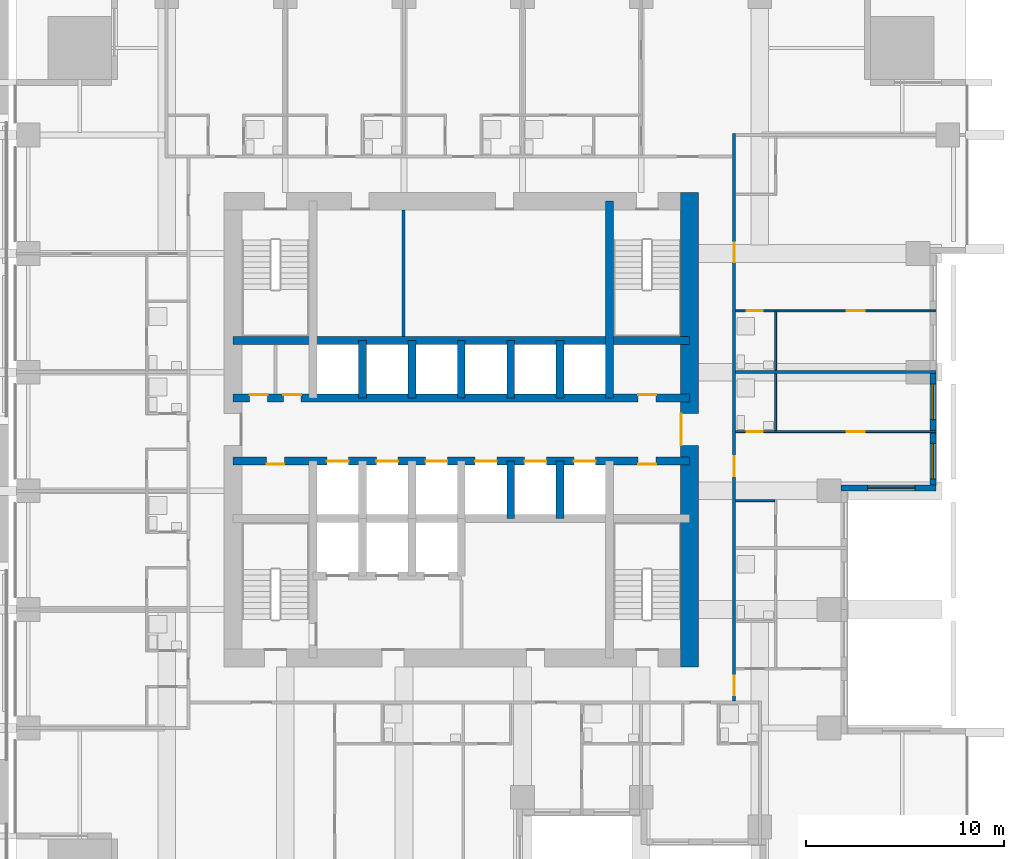
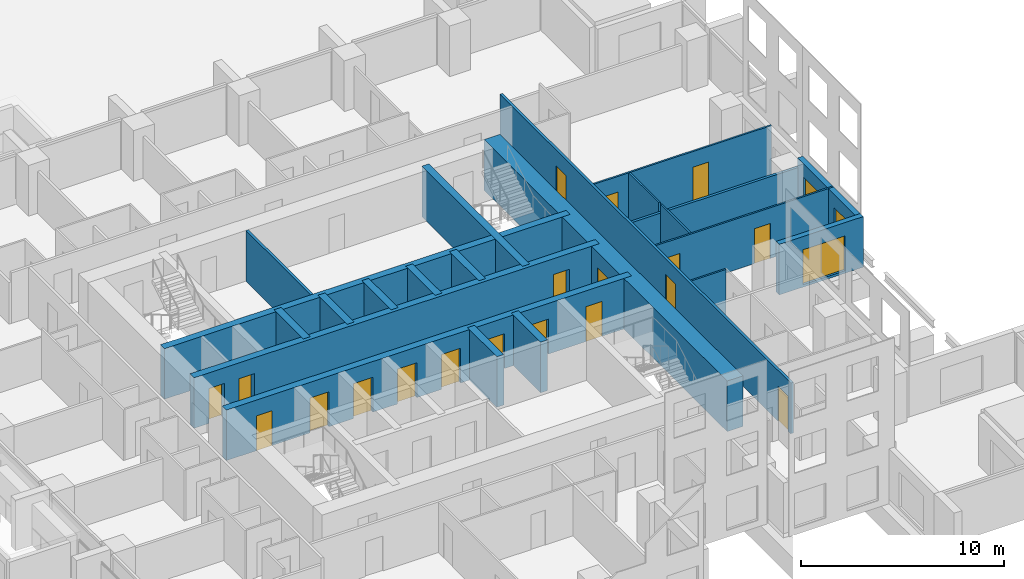
# One storey, part 9 of 15: 22 walls, 19 doors, 3 windows, 22 openings.
"""IFC4 building model written with IfcOpenShell, lengths in metres."""

from ifc_helpers import new_model, si_unit, direction, frame, frame_2d, origin, place, context, subcontext, project, spatial, rectangle, extrude, material, layer, layer_set, type_object, element, fill, save


model = new_model("IFC4")

# Units and contexts
model_context = context("Model", 3, precision=1e-05, world=origin(), true_north=direction((0.0, 1.0)))
body_context = subcontext(model_context, "Body", "Model", "MODEL_VIEW")
ifc_project = project(units=[si_unit("LENGTHUNIT", "METRE"), si_unit("AREAUNIT", "SQUARE_METRE"), si_unit("VOLUMEUNIT", "CUBIC_METRE"), si_unit("PLANEANGLEUNIT", "RADIAN"), si_unit("MASSUNIT", "GRAM", prefix="KILO")], contexts=[model_context])

# Site, building, storey
site_placement = place(None, origin())
site = spatial("IfcSite", under=ifc_project, at=site_placement, CompositionType="ELEMENT")
building_placement = place(site_placement, origin())
building = spatial("IfcBuilding", under=site, at=building_placement, Name="Amberfall Residences", CompositionType="ELEMENT")
storey_placement = place(building_placement, frame((0.0, 0.0, 23.5)))
storey = spatial("IfcBuildingStorey", under=building, at=storey_placement, Name="L05", CompositionType="ELEMENT", Elevation=23.5)

# Wall, opening, window
ifc_material_1 = material(Name="Pale stone cladding on insulated backing", Category="masonry")
ifc_layer_1 = layer(ifc_material_1, 0.300048828125)
ifc_layer_set_1 = layer_set([ifc_layer_1], Name="Bronze clad wall 300")
wall_type_1 = type_object("IfcWallType", Name="Bronze clad wall 300", PredefinedType="SOLIDWALL", material=ifc_layer_set_1)
wall_1_placement = place(storey_placement, frame((93.699951171875, 42.550048828125, 0.0), z_axis=(0.0, 0.0, 1.0), x_axis=(1.0, 0.0, 0.0)))
wall_1 = element("IfcWall", 1, at=wall_1_placement, inside=storey, type_object=wall_type_1, Name="External wall L05 E", PredefinedType="SOLIDWALL", context=body_context, shape_type="SweptSolid", body=[
    extrude(rectangle(XDim=4.800048828125, YDim=0.300048828125, at=frame_2d((2.39990234375, 0.0))), origin(), (0.0, 0.0, 1.0), 3.050048828125),
])
opening_1_placement = place(wall_1_placement, frame((1.35009765625, 0.0, 0.14990234375)))
opening_1 = element("IfcOpeningElement", 2, at=opening_1_placement, cuts=wall_1, Name="Opening WN5", PredefinedType="OPENING", context=body_context, shape_type="SweptSolid", body=[
    extrude(rectangle(XDim=2.39990234375, YDim=2.10009765625, at=frame_2d((1.199951171875, 1.050048828125))), frame((0.0, 0.159912109375, 0.0), z_axis=(0.0, -1.0, 0.0), x_axis=(1.0, 0.0, 0.0)), (0.0, 0.0, 1.0), 0.320068359375),
])
ifc_material_2 = material(Name="Bronze aluminium framed glazing", Category="aluminium")
window_type_1 = type_object("IfcWindowType", Name="Glazed opening 2400 x 2100 bronze", PartitioningType="DOUBLE_PANEL_VERTICAL", PredefinedType="WINDOW", material=ifc_material_2)
window_1_placement = place(opening_1_placement, origin())
window_1 = element("IfcWindow", 3, at=window_1_placement, inside=storey, type_object=window_type_1, Name="Window L05 E", OverallHeight=2.10009765625, OverallWidth=2.39990234375, PartitioningType="DOUBLE_PANEL_VERTICAL", PredefinedType="WINDOW", context=body_context, shape_type="SweptSolid", body=[
    extrude(rectangle(XDim=2.39990234375, YDim=2.10009765625, at=frame_2d((1.199951171875, 1.050048828125))), frame((0.0, 0.030029296875, 0.0), z_axis=(0.0, -1.0, 0.0), x_axis=(1.0, 0.0, 0.0)), (0.0, 0.0, 1.0), 0.06005859375),
])
fill(opening_1, window_1)

# Wall, openings, windows
wall_2_placement = place(storey_placement, frame((98.35009765625, 42.699951171875, 0.0), z_axis=(0.0, 0.0, 1.0), x_axis=(0.0, 1.0, 0.0)))
wall_2 = element("IfcWall", 4, at=wall_2_placement, inside=storey, type_object=wall_type_1, Name="Stone wall L05 E", PredefinedType="SOLIDWALL", context=body_context, shape_type="SweptSolid", body=[
    extrude(rectangle(XDim=5.699951171875, YDim=0.300048828125, at=frame_2d((2.85009765625, 0.0))), origin(), (0.0, 0.0, 1.0), 3.050048828125),
])
opening_2_placement = place(wall_2_placement, frame((0.300048828125, 0.0, 0.14990234375)))
opening_2 = element("IfcOpeningElement", 5, at=opening_2_placement, cuts=wall_2, Name="Opening WN6", PredefinedType="OPENING", context=body_context, shape_type="SweptSolid", body=[
    extrude(rectangle(XDim=1.800048828125, YDim=2.10009765625, at=frame_2d((0.89990234375, 1.050048828125))), frame((0.0, 0.159912109375, 0.0), z_axis=(0.0, -1.0, 0.0), x_axis=(1.0, 0.0, 0.0)), (0.0, 0.0, 1.0), 0.320068359375),
])
opening_3_placement = place(wall_2_placement, frame((3.300048828125, 0.0, 0.14990234375)))
opening_3 = element("IfcOpeningElement", 6, at=opening_3_placement, cuts=wall_2, Name="Opening WN6", PredefinedType="OPENING", context=body_context, shape_type="SweptSolid", body=[
    extrude(rectangle(XDim=1.800048828125, YDim=2.10009765625, at=frame_2d((0.89990234375, 1.050048828125))), frame((0.0, 0.159912109375, 0.0), z_axis=(0.0, -1.0, 0.0), x_axis=(1.0, 0.0, 0.0)), (0.0, 0.0, 1.0), 0.320068359375),
])
window_type_2 = type_object("IfcWindowType", Name="Glazed opening 1800 x 2100 bronze", PartitioningType="DOUBLE_PANEL_VERTICAL", PredefinedType="WINDOW", material=ifc_material_2)
window_2_placement = place(opening_2_placement, origin())
window_2 = element("IfcWindow", 7, at=window_2_placement, inside=storey, type_object=window_type_2, Name="Window L05 E", OverallHeight=2.10009765625, OverallWidth=1.800048828125, PartitioningType="DOUBLE_PANEL_VERTICAL", PredefinedType="WINDOW", context=body_context, shape_type="SweptSolid", body=[
    extrude(rectangle(XDim=1.800048828125, YDim=2.10009765625, at=frame_2d((0.89990234375, 1.050048828125))), frame((0.0, 0.030029296875, 0.0), z_axis=(0.0, -1.0, 0.0), x_axis=(1.0, 0.0, 0.0)), (0.0, 0.0, 1.0), 0.06005859375),
])
fill(opening_2, window_2)
window_3_placement = place(opening_3_placement, origin())
window_3 = element("IfcWindow", 8, at=window_3_placement, inside=storey, type_object=window_type_2, Name="Window L05 E", OverallHeight=2.10009765625, OverallWidth=1.800048828125, PartitioningType="DOUBLE_PANEL_VERTICAL", PredefinedType="WINDOW", context=body_context, shape_type="SweptSolid", body=[
    extrude(rectangle(XDim=1.800048828125, YDim=2.10009765625, at=frame_2d((0.89990234375, 1.050048828125))), frame((0.0, 0.030029296875, 0.0), z_axis=(0.0, -1.0, 0.0), x_axis=(1.0, 0.0, 0.0)), (0.0, 0.0, 1.0), 0.06005859375),
])
fill(opening_3, window_3)

# Wall, openings, doors
ifc_material_3 = material(Name="Concrete C80", Category="concrete")
ifc_layer_2 = layer(ifc_material_3, 0.39990234375)
ifc_layer_set_2 = layer_set([ifc_layer_2], Name="Core wall 400 C80")
wall_type_2 = type_object("IfcWallType", Name="Core wall 400 C80", PredefinedType="SHEAR", material=ifc_layer_set_2)
wall_3_placement = place(storey_placement, frame((62.949951171875, 43.89990234375, 0.0), z_axis=(0.0, 0.0, 1.0), x_axis=(1.0, 0.0, 0.0)))
wall_3 = element("IfcWall", 9, at=wall_3_placement, inside=storey, type_object=wall_type_2, Name="Core wall RW2 L05 H104", PredefinedType="SHEAR", context=body_context, shape_type="SweptSolid", body=[
    extrude(rectangle(XDim=23.10009765625, YDim=0.39990234375, at=frame_2d((11.550048828125, 0.0))), origin(), (0.0, 0.0, 1.0), 3.050048828125),
])
opening_4_placement = place(wall_3_placement, frame((1.699951171875, 0.0, 0.0)))
opening_4 = element("IfcOpeningElement", 10, at=opening_4_placement, cuts=wall_3, Name="Opening RD1", PredefinedType="OPENING", context=body_context, shape_type="SweptSolid", body=[
    extrude(rectangle(XDim=0.89990234375, YDim=2.10009765625, at=frame_2d((0.449951171875, 1.050048828125))), frame((0.0, 0.2099609375, 0.0), z_axis=(0.0, -1.0, 0.0), x_axis=(1.0, 0.0, 0.0)), (0.0, 0.0, 1.0), 0.419921875),
])
opening_5_placement = place(wall_3_placement, frame((20.5, 0.0, 0.0)))
opening_5 = element("IfcOpeningElement", 11, at=opening_5_placement, cuts=wall_3, Name="Opening RD1", PredefinedType="OPENING", context=body_context, shape_type="SweptSolid", body=[
    extrude(rectangle(XDim=0.89990234375, YDim=2.10009765625, at=frame_2d((0.449951171875, 1.050048828125))), frame((0.0, 0.2099609375, 0.0), z_axis=(0.0, -1.0, 0.0), x_axis=(1.0, 0.0, 0.0)), (0.0, 0.0, 1.0), 0.419921875),
])
opening_6_placement = place(wall_3_placement, frame((4.75, 0.0, 0.0)))
opening_6 = element("IfcOpeningElement", 12, at=opening_6_placement, cuts=wall_3, Name="Opening LD1", PredefinedType="OPENING", context=body_context, shape_type="SweptSolid", body=[
    extrude(rectangle(XDim=1.10009765625, YDim=2.10009765625, at=frame_2d((0.550048828125, 1.050048828125))), frame((0.0, 0.2099609375, 0.0), z_axis=(0.0, -1.0, 0.0), x_axis=(1.0, 0.0, 0.0)), (0.0, 0.0, 1.0), 0.419921875),
])
opening_7_placement = place(wall_3_placement, frame((7.25, 0.0, 0.0)))
opening_7 = element("IfcOpeningElement", 13, at=opening_7_placement, cuts=wall_3, Name="Opening LD1", PredefinedType="OPENING", context=body_context, shape_type="SweptSolid", body=[
    extrude(rectangle(XDim=1.10009765625, YDim=2.10009765625, at=frame_2d((0.550048828125, 1.050048828125))), frame((0.0, 0.2099609375, 0.0), z_axis=(0.0, -1.0, 0.0), x_axis=(1.0, 0.0, 0.0)), (0.0, 0.0, 1.0), 0.419921875),
])
opening_8_placement = place(wall_3_placement, frame((9.75, 0.0, 0.0)))
opening_8 = element("IfcOpeningElement", 14, at=opening_8_placement, cuts=wall_3, Name="Opening LD1", PredefinedType="OPENING", context=body_context, shape_type="SweptSolid", body=[
    extrude(rectangle(XDim=1.10009765625, YDim=2.10009765625, at=frame_2d((0.550048828125, 1.050048828125))), frame((0.0, 0.2099609375, 0.0), z_axis=(0.0, -1.0, 0.0), x_axis=(1.0, 0.0, 0.0)), (0.0, 0.0, 1.0), 0.419921875),
])
opening_9_placement = place(wall_3_placement, frame((12.25, 0.0, 0.0)))
opening_9 = element("IfcOpeningElement", 15, at=opening_9_placement, cuts=wall_3, Name="Opening LD1", PredefinedType="OPENING", context=body_context, shape_type="SweptSolid", body=[
    extrude(rectangle(XDim=1.10009765625, YDim=2.10009765625, at=frame_2d((0.550048828125, 1.050048828125))), frame((0.0, 0.2099609375, 0.0), z_axis=(0.0, -1.0, 0.0), x_axis=(1.0, 0.0, 0.0)), (0.0, 0.0, 1.0), 0.419921875),
])
opening_10_placement = place(wall_3_placement, frame((14.75, 0.0, 0.0)))
opening_10 = element("IfcOpeningElement", 16, at=opening_10_placement, cuts=wall_3, Name="Opening LD1", PredefinedType="OPENING", context=body_context, shape_type="SweptSolid", body=[
    extrude(rectangle(XDim=1.10009765625, YDim=2.10009765625, at=frame_2d((0.550048828125, 1.050048828125))), frame((0.0, 0.2099609375, 0.0), z_axis=(0.0, -1.0, 0.0), x_axis=(1.0, 0.0, 0.0)), (0.0, 0.0, 1.0), 0.419921875),
])
opening_11_placement = place(wall_3_placement, frame((17.25, 0.0, 0.0)))
opening_11 = element("IfcOpeningElement", 17, at=opening_11_placement, cuts=wall_3, Name="Opening LD1", PredefinedType="OPENING", context=body_context, shape_type="SweptSolid", body=[
    extrude(rectangle(XDim=1.10009765625, YDim=2.10009765625, at=frame_2d((0.550048828125, 1.050048828125))), frame((0.0, 0.2099609375, 0.0), z_axis=(0.0, -1.0, 0.0), x_axis=(1.0, 0.0, 0.0)), (0.0, 0.0, 1.0), 0.419921875),
])
ifc_material_4 = material(Name="Steel fire door set", Category="steel")
door_type_1 = type_object("IfcDoorType", Name="Lift landing door 1100 x 2100", OperationType="DOUBLE_DOOR_SLIDING", PredefinedType="DOOR", material=ifc_material_4)
door_1_placement = place(opening_6_placement, origin())
door_1 = element("IfcDoor", 18, at=door_1_placement, inside=storey, type_object=door_type_1, Name="Landing door LP1 L05", OperationType="DOUBLE_DOOR_SLIDING", OverallHeight=2.10009765625, OverallWidth=1.10009765625, PredefinedType="DOOR", context=body_context, shape_type="SweptSolid", body=[
    extrude(rectangle(XDim=1.10009765625, YDim=2.10009765625, at=frame_2d((0.550048828125, 1.050048828125))), frame((0.0, 0.02490234375, 0.0), z_axis=(0.0, -1.0, 0.0), x_axis=(1.0, 0.0, 0.0)), (0.0, 0.0, 1.0), 0.050048828125),
])
fill(opening_6, door_1)
door_2_placement = place(opening_7_placement, origin())
door_2 = element("IfcDoor", 19, at=door_2_placement, inside=storey, type_object=door_type_1, Name="Landing door LP2 L05", OperationType="DOUBLE_DOOR_SLIDING", OverallHeight=2.10009765625, OverallWidth=1.10009765625, PredefinedType="DOOR", context=body_context, shape_type="SweptSolid", body=[
    extrude(rectangle(XDim=1.10009765625, YDim=2.10009765625, at=frame_2d((0.550048828125, 1.050048828125))), frame((0.0, 0.02490234375, 0.0), z_axis=(0.0, -1.0, 0.0), x_axis=(1.0, 0.0, 0.0)), (0.0, 0.0, 1.0), 0.050048828125),
])
fill(opening_7, door_2)
door_3_placement = place(opening_8_placement, origin())
door_3 = element("IfcDoor", 20, at=door_3_placement, inside=storey, type_object=door_type_1, Name="Landing door LP3 L05", OperationType="DOUBLE_DOOR_SLIDING", OverallHeight=2.10009765625, OverallWidth=1.10009765625, PredefinedType="DOOR", context=body_context, shape_type="SweptSolid", body=[
    extrude(rectangle(XDim=1.10009765625, YDim=2.10009765625, at=frame_2d((0.550048828125, 1.050048828125))), frame((0.0, 0.02490234375, 0.0), z_axis=(0.0, -1.0, 0.0), x_axis=(1.0, 0.0, 0.0)), (0.0, 0.0, 1.0), 0.050048828125),
])
fill(opening_8, door_3)
door_4_placement = place(opening_9_placement, origin())
door_4 = element("IfcDoor", 21, at=door_4_placement, inside=storey, type_object=door_type_1, Name="Landing door LP4 L05", OperationType="DOUBLE_DOOR_SLIDING", OverallHeight=2.10009765625, OverallWidth=1.10009765625, PredefinedType="DOOR", context=body_context, shape_type="SweptSolid", body=[
    extrude(rectangle(XDim=1.10009765625, YDim=2.10009765625, at=frame_2d((0.550048828125, 1.050048828125))), frame((0.0, 0.02490234375, 0.0), z_axis=(0.0, -1.0, 0.0), x_axis=(1.0, 0.0, 0.0)), (0.0, 0.0, 1.0), 0.050048828125),
])
fill(opening_9, door_4)
door_5_placement = place(opening_10_placement, origin())
door_5 = element("IfcDoor", 22, at=door_5_placement, inside=storey, type_object=door_type_1, Name="Landing door LP5 L05", OperationType="DOUBLE_DOOR_SLIDING", OverallHeight=2.10009765625, OverallWidth=1.10009765625, PredefinedType="DOOR", context=body_context, shape_type="SweptSolid", body=[
    extrude(rectangle(XDim=1.10009765625, YDim=2.10009765625, at=frame_2d((0.550048828125, 1.050048828125))), frame((0.0, 0.02490234375, 0.0), z_axis=(0.0, -1.0, 0.0), x_axis=(1.0, 0.0, 0.0)), (0.0, 0.0, 1.0), 0.050048828125),
])
fill(opening_10, door_5)
door_6_placement = place(opening_11_placement, origin())
door_6 = element("IfcDoor", 23, at=door_6_placement, inside=storey, type_object=door_type_1, Name="Landing door LP6 L05", OperationType="DOUBLE_DOOR_SLIDING", OverallHeight=2.10009765625, OverallWidth=1.10009765625, PredefinedType="DOOR", context=body_context, shape_type="SweptSolid", body=[
    extrude(rectangle(XDim=1.10009765625, YDim=2.10009765625, at=frame_2d((0.550048828125, 1.050048828125))), frame((0.0, 0.02490234375, 0.0), z_axis=(0.0, -1.0, 0.0), x_axis=(1.0, 0.0, 0.0)), (0.0, 0.0, 1.0), 0.050048828125),
])
fill(opening_11, door_6)
door_type_2 = type_object("IfcDoorType", Name="Service room door 900 x 2100", OperationType="SINGLE_SWING_LEFT", PredefinedType="DOOR", material=ifc_material_4)
door_7_placement = place(opening_4_placement, origin())
door_7 = element("IfcDoor", 24, at=door_7_placement, inside=storey, type_object=door_type_2, Name="RD1 L05", OperationType="SINGLE_SWING_LEFT", OverallHeight=2.10009765625, OverallWidth=0.89990234375, PredefinedType="DOOR", context=body_context, shape_type="SweptSolid", body=[
    extrude(rectangle(XDim=0.89990234375, YDim=2.10009765625, at=frame_2d((0.449951171875, 1.050048828125))), frame((0.0, -0.1376953125, 0.0), z_axis=(0.0, -1.0, 0.0), x_axis=(1.0, 0.0, 0.0)), (0.0, 0.0, 1.0), 0.050048828125),
])
fill(opening_4, door_7)
door_8_placement = place(opening_5_placement, origin())
door_8 = element("IfcDoor", 25, at=door_8_placement, inside=storey, type_object=door_type_2, Name="RD1 L05", OperationType="SINGLE_SWING_LEFT", OverallHeight=2.10009765625, OverallWidth=0.89990234375, PredefinedType="DOOR", context=body_context, shape_type="SweptSolid", body=[
    extrude(rectangle(XDim=0.89990234375, YDim=2.10009765625, at=frame_2d((0.449951171875, 1.050048828125))), frame((0.0, -0.1376953125, 0.0), z_axis=(0.0, -1.0, 0.0), x_axis=(1.0, 0.0, 0.0)), (0.0, 0.0, 1.0), 0.050048828125),
])
fill(opening_5, door_8)

wall_4_placement = place(storey_placement, frame((62.949951171875, 47.10009765625, 0.0), z_axis=(0.0, 0.0, 1.0), x_axis=(1.0, 0.0, 0.0)))
wall_4 = element("IfcWall", 26, at=wall_4_placement, inside=storey, type_object=wall_type_2, Name="Core wall RW2 L05 H136", PredefinedType="SHEAR", context=body_context, shape_type="SweptSolid", body=[
    extrude(rectangle(XDim=23.10009765625, YDim=0.39990234375, at=frame_2d((11.550048828125, 0.0))), origin(), (0.0, 0.0, 1.0), 3.050048828125),
])
opening_12_placement = place(wall_4_placement, frame((0.85009765625, 0.0, 0.0)))
opening_12 = element("IfcOpeningElement", 27, at=opening_12_placement, cuts=wall_4, Name="Opening RD1", PredefinedType="OPENING", context=body_context, shape_type="SweptSolid", body=[
    extrude(rectangle(XDim=0.89990234375, YDim=2.10009765625, at=frame_2d((0.449951171875, 1.050048828125))), frame((0.0, 0.2099609375, 0.0), z_axis=(0.0, -1.0, 0.0), x_axis=(1.0, 0.0, 0.0)), (0.0, 0.0, 1.0), 0.419921875),
])
opening_13_placement = place(wall_4_placement, frame((2.550048828125, 0.0, 0.0)))
opening_13 = element("IfcOpeningElement", 28, at=opening_13_placement, cuts=wall_4, Name="Opening RD1", PredefinedType="OPENING", context=body_context, shape_type="SweptSolid", body=[
    extrude(rectangle(XDim=0.89990234375, YDim=2.10009765625, at=frame_2d((0.449951171875, 1.050048828125))), frame((0.0, 0.2099609375, 0.0), z_axis=(0.0, -1.0, 0.0), x_axis=(1.0, 0.0, 0.0)), (0.0, 0.0, 1.0), 0.419921875),
])
opening_14_placement = place(wall_4_placement, frame((20.5, 0.0, 0.0)))
opening_14 = element("IfcOpeningElement", 29, at=opening_14_placement, cuts=wall_4, Name="Opening RD1", PredefinedType="OPENING", context=body_context, shape_type="SweptSolid", body=[
    extrude(rectangle(XDim=0.89990234375, YDim=2.10009765625, at=frame_2d((0.449951171875, 1.050048828125))), frame((0.0, 0.2099609375, 0.0), z_axis=(0.0, -1.0, 0.0), x_axis=(1.0, 0.0, 0.0)), (0.0, 0.0, 1.0), 0.419921875),
])
door_9_placement = place(opening_12_placement, origin())
door_9 = element("IfcDoor", 30, at=door_9_placement, inside=storey, type_object=door_type_2, Name="RD1 L05", OperationType="SINGLE_SWING_LEFT", OverallHeight=2.10009765625, OverallWidth=0.89990234375, PredefinedType="DOOR", context=body_context, shape_type="SweptSolid", body=[
    extrude(rectangle(XDim=0.89990234375, YDim=2.10009765625, at=frame_2d((0.449951171875, 1.050048828125))), frame((0.0, 0.1875, 0.0), z_axis=(0.0, -1.0, 0.0), x_axis=(1.0, 0.0, 0.0)), (0.0, 0.0, 1.0), 0.050048828125),
])
fill(opening_12, door_9)
door_10_placement = place(opening_13_placement, origin())
door_10 = element("IfcDoor", 31, at=door_10_placement, inside=storey, type_object=door_type_2, Name="RD1 L05", OperationType="SINGLE_SWING_RIGHT", OverallHeight=2.10009765625, OverallWidth=0.89990234375, PredefinedType="DOOR", context=body_context, shape_type="SweptSolid", body=[
    extrude(rectangle(XDim=0.89990234375, YDim=2.10009765625, at=frame_2d((0.449951171875, 1.050048828125))), frame((0.0, 0.1875, 0.0), z_axis=(0.0, -1.0, 0.0), x_axis=(1.0, 0.0, 0.0)), (0.0, 0.0, 1.0), 0.050048828125),
])
fill(opening_13, door_10)
door_11_placement = place(opening_14_placement, origin())
door_11 = element("IfcDoor", 32, at=door_11_placement, inside=storey, type_object=door_type_2, Name="RD1 L05", OperationType="SINGLE_SWING_LEFT", OverallHeight=2.10009765625, OverallWidth=0.89990234375, PredefinedType="DOOR", context=body_context, shape_type="SweptSolid", body=[
    extrude(rectangle(XDim=0.89990234375, YDim=2.10009765625, at=frame_2d((0.449951171875, 1.050048828125))), frame((0.0, 0.1875, 0.0), z_axis=(0.0, -1.0, 0.0), x_axis=(1.0, 0.0, 0.0)), (0.0, 0.0, 1.0), 0.050048828125),
])
fill(opening_14, door_11)

# Walls
wall_5_placement = place(storey_placement, frame((62.949951171875, 50.0, 0.0), z_axis=(0.0, 0.0, 1.0), x_axis=(1.0, 0.0, 0.0)))
element("IfcWall", 33, at=wall_5_placement, inside=storey, type_object=wall_type_2, Name="Core wall RW2 L05 H165", PredefinedType="SHEAR", context=body_context, shape_type="SweptSolid", body=[
    extrude(rectangle(XDim=23.10009765625, YDim=0.39990234375, at=frame_2d((11.550048828125, 0.0))), origin(), (0.0, 0.0, 1.0), 3.050048828125),
])
wall_6_placement = place(storey_placement, frame((82.0, 47.10009765625, 0.0), z_axis=(0.0, 0.0, 1.0), x_axis=(0.0, 1.0, 0.0)))
element("IfcWall", 34, at=wall_6_placement, inside=storey, type_object=wall_type_2, Name="Core wall RW2 L05 V195N", PredefinedType="SHEAR", context=body_context, shape_type="SweptSolid", body=[
    extrude(rectangle(XDim=9.949951171875, YDim=0.39990234375, at=frame_2d((4.97509765625, 0.0))), origin(), (0.0, 0.0, 1.0), 3.050048828125),
])
for number, where, z_axis, x_axis, name in (
    (35, (69.5, 47.10009765625, 0.0), (0.0, 0.0, 1.0), (0.0, 1.0, 0.0), "Core wall RW2 L05 HPD1"),
    (36, (72.0, 47.10009765625, 0.0), (0.0, 0.0, 1.0), (0.0, 1.0, 0.0), "Core wall RW2 L05 HPD2"),
    (37, (74.5, 47.10009765625, 0.0), (0.0, 0.0, 1.0), (0.0, 1.0, 0.0), "Core wall RW2 L05 HPD3"),
    (38, (77.0, 41.0, 0.0), (0.0, 0.0, 1.0), (0.0, 1.0, 0.0), "Core wall RW2 L05 LPD4"),
    (39, (77.0, 47.10009765625, 0.0), (0.0, 0.0, 1.0), (0.0, 1.0, 0.0), "Core wall RW2 L05 HPD4"),
    (40, (79.5, 41.0, 0.0), (0.0, 0.0, 1.0), (0.0, 1.0, 0.0), "Core wall RW2 L05 LPD5"),
    (41, (79.5, 47.10009765625, 0.0), (0.0, 0.0, 1.0), (0.0, 1.0, 0.0), "Core wall RW2 L05 HPD5"),
):
    element("IfcWall", number, at=place(storey_placement, frame(where, z_axis=z_axis, x_axis=x_axis)), inside=storey, type_object=wall_type_2, Name=name, PredefinedType="SHEAR", context=body_context, shape_type="SweptSolid", body=[
        extrude(rectangle(XDim=2.89990234375, YDim=0.39990234375, at=frame_2d((1.449951171875, 0.0))), origin(), (0.0, 0.0, 1.0), 3.050048828125),
    ])

# Wall, opening, door
ifc_layer_3 = layer(ifc_material_3, 0.89990234375)
ifc_layer_set_3 = layer_set([ifc_layer_3], Name="Core wall 900 C80")
wall_type_3 = type_object("IfcWallType", Name="Core wall 900 C80", PredefinedType="SHEAR", material=ifc_layer_set_3)
wall_7_placement = place(storey_placement, frame((86.050048828125, 33.5, 0.0), z_axis=(0.0, 0.0, 1.0), x_axis=(0.0, 1.0, 0.0)))
wall_7 = element("IfcWall", 42, at=wall_7_placement, inside=storey, type_object=wall_type_3, Name="Core wall RW1 L05 OE", PredefinedType="SHEAR", context=body_context, shape_type="SweptSolid", body=[
    extrude(rectangle(XDim=24.0, YDim=0.89990234375, at=frame_2d((12.0, 0.0))), origin(), (0.0, 0.0, 1.0), 3.050048828125),
])
opening_15_placement = place(wall_7_placement, frame((11.199951171875, 0.0, 0.0)))
opening_15 = element("IfcOpeningElement", 43, at=opening_15_placement, cuts=wall_7, Name="Opening LB1", PredefinedType="OPENING", context=body_context, shape_type="SweptSolid", body=[
    extrude(rectangle(XDim=1.60009765625, YDim=2.10009765625, at=frame_2d((0.800048828125, 1.050048828125))), frame((0.0, 0.4599609375, 0.0), z_axis=(0.0, -1.0, 0.0), x_axis=(1.0, 0.0, 0.0)), (0.0, 0.0, 1.0), 0.919921875),
])
door_type_3 = type_object("IfcDoorType", Name="Lift lobby double door 1600 x 2100", OperationType="DOUBLE_DOOR_SINGLE_SWING", PredefinedType="DOOR", material=ifc_material_4)
door_12_placement = place(opening_15_placement, origin())
door_12 = element("IfcDoor", 44, at=door_12_placement, inside=storey, type_object=door_type_3, Name="LB1 L05", OperationType="DOUBLE_DOOR_SINGLE_SWING", OverallHeight=2.10009765625, OverallWidth=1.60009765625, PredefinedType="DOOR", context=body_context, shape_type="SweptSolid", body=[
    extrude(rectangle(XDim=1.60009765625, YDim=2.10009765625, at=frame_2d((0.800048828125, 1.050048828125))), frame((0.0, 0.4375, 0.0), z_axis=(0.0, -1.0, 0.0), x_axis=(1.0, 0.0, 0.0)), (0.0, 0.0, 1.0), 0.050048828125),
])
fill(opening_15, door_12)

# Walls
ifc_material_5 = material(Name="Gypsum board on metal stud")
ifc_layer_4 = layer(ifc_material_5, 0.10009765625)
ifc_layer_set_4 = layer_set([ifc_layer_4], Name="Flat partition 100")
wall_type_4 = type_object("IfcWallType", Name="Flat partition 100", PredefinedType="PARTITIONING", material=ifc_layer_set_4)
wall_8_placement = place(storey_placement, frame((90.39990234375, 45.449951171875, 0.0), z_axis=(0.0, 0.0, 1.0), x_axis=(0.0, 1.0, 0.0)))
element("IfcWall", 45, at=wall_8_placement, inside=storey, type_object=wall_type_4, Name="Partition 020", PredefinedType="PARTITIONING", context=body_context, shape_type="SweptSolid", body=[
    extrude(rectangle(XDim=2.875, YDim=0.10009765625, at=frame_2d((1.4375, 0.0))), origin(), (0.0, 0.0, 1.0), 3.050048828125),
])
wall_9_placement = place(storey_placement, frame((90.39990234375, 48.5, 0.0), z_axis=(0.0, 0.0, 1.0), x_axis=(0.0, 1.0, 0.0)))
element("IfcWall", 46, at=wall_9_placement, inside=storey, type_object=wall_type_4, Name="Partition 021", PredefinedType="PARTITIONING", context=body_context, shape_type="SweptSolid", body=[
    extrude(rectangle(XDim=2.949951171875, YDim=0.10009765625, at=frame_2d((1.47509765625, 0.0))), origin(), (0.0, 0.0, 1.0), 3.050048828125),
])

# Wall, openings, doors
wall_10_placement = place(storey_placement, frame((98.5, 51.5, 0.0), z_axis=(0.0, 0.0, 1.0), x_axis=(-1.0, 0.0, 0.0)))
wall_10 = element("IfcWall", 47, at=wall_10_placement, inside=storey, type_object=wall_type_4, Name="Partition 030", PredefinedType="PARTITIONING", context=body_context, shape_type="SweptSolid", body=[
    extrude(rectangle(XDim=10.125, YDim=0.10009765625, at=frame_2d((5.0625, 0.0))), origin(), (0.0, 0.0, 1.0), 3.050048828125),
])
opening_16_placement = place(wall_10_placement, frame((3.60009765625, 0.0, 0.0)))
opening_16 = element("IfcOpeningElement", 48, at=opening_16_placement, cuts=wall_10, Name="Opening D41", PredefinedType="OPENING", context=body_context, shape_type="SweptSolid", body=[
    extrude(rectangle(XDim=0.89990234375, YDim=2.10009765625, at=frame_2d((0.449951171875, 1.050048828125))), frame((0.0, 0.06005859375, 0.0), z_axis=(0.0, -1.0, 0.0), x_axis=(1.0, 0.0, 0.0)), (0.0, 0.0, 1.0), 0.1201171875),
])
opening_17_placement = place(wall_10_placement, frame((8.75, 0.0, 0.0)))
opening_17 = element("IfcOpeningElement", 49, at=opening_17_placement, cuts=wall_10, Name="Opening D42", PredefinedType="OPENING", context=body_context, shape_type="SweptSolid", body=[
    extrude(rectangle(XDim=0.800048828125, YDim=2.10009765625, at=frame_2d((0.39990234375, 1.050048828125))), frame((0.0, 0.06005859375, 0.0), z_axis=(0.0, -1.0, 0.0), x_axis=(1.0, 0.0, 0.0)), (0.0, 0.0, 1.0), 0.1201171875),
])
ifc_material_6 = material(Name="Timber", Category="wood")
door_type_4 = type_object("IfcDoorType", Name="Bathroom door 800 x 2100", OperationType="SINGLE_SWING_LEFT", PredefinedType="DOOR", material=ifc_material_6)
door_13_placement = place(opening_17_placement, origin())
door_13 = element("IfcDoor", 50, at=door_13_placement, inside=storey, type_object=door_type_4, Name="Door 0506 bath1", OperationType="SINGLE_SWING_LEFT", OverallHeight=2.10009765625, OverallWidth=0.800048828125, PredefinedType="DOOR", context=body_context, shape_type="SweptSolid", body=[
    extrude(rectangle(XDim=0.800048828125, YDim=2.10009765625, at=frame_2d((0.39990234375, 1.050048828125))), frame((0.0, 0.02490234375, 0.0), z_axis=(0.0, -1.0, 0.0), x_axis=(1.0, 0.0, 0.0)), (0.0, 0.0, 1.0), 0.050048828125),
])
fill(opening_17, door_13)
door_type_5 = type_object("IfcDoorType", Name="Internal door 900 x 2100", OperationType="SINGLE_SWING_LEFT", PredefinedType="DOOR", material=ifc_material_6)
door_14_placement = place(opening_16_placement, origin())
door_14 = element("IfcDoor", 51, at=door_14_placement, inside=storey, type_object=door_type_5, Name="Door 0506 bedroom1", OperationType="SINGLE_SWING_LEFT", OverallHeight=2.10009765625, OverallWidth=0.89990234375, PredefinedType="DOOR", context=body_context, shape_type="SweptSolid", body=[
    extrude(rectangle(XDim=0.89990234375, YDim=2.10009765625, at=frame_2d((0.449951171875, 1.050048828125))), frame((0.0, 0.02490234375, 0.0), z_axis=(0.0, -1.0, 0.0), x_axis=(1.0, 0.0, 0.0)), (0.0, 0.0, 1.0), 0.050048828125),
])
fill(opening_16, door_14)

wall_11_placement = place(storey_placement, frame((88.375, 45.39990234375, 0.0), z_axis=(0.0, 0.0, 1.0), x_axis=(1.0, 0.0, 0.0)))
wall_11 = element("IfcWall", 52, at=wall_11_placement, inside=storey, type_object=wall_type_4, Name="Partition 032", PredefinedType="PARTITIONING", context=body_context, shape_type="SweptSolid", body=[
    extrude(rectangle(XDim=10.125, YDim=0.10009765625, at=frame_2d((5.0625, 0.0))), origin(), (0.0, 0.0, 1.0), 3.050048828125),
])
opening_18_placement = place(wall_11_placement, frame((5.625, 0.0, 0.0)))
opening_18 = element("IfcOpeningElement", 53, at=opening_18_placement, cuts=wall_11, Name="Opening D41", PredefinedType="OPENING", context=body_context, shape_type="SweptSolid", body=[
    extrude(rectangle(XDim=0.89990234375, YDim=2.10009765625, at=frame_2d((0.449951171875, 1.050048828125))), frame((0.0, 0.06005859375, 0.0), z_axis=(0.0, -1.0, 0.0), x_axis=(1.0, 0.0, 0.0)), (0.0, 0.0, 1.0), 0.1201171875),
])
opening_19_placement = place(wall_11_placement, frame((0.574951171875, 0.0, 0.0)))
opening_19 = element("IfcOpeningElement", 54, at=opening_19_placement, cuts=wall_11, Name="Opening D42", PredefinedType="OPENING", context=body_context, shape_type="SweptSolid", body=[
    extrude(rectangle(XDim=0.800048828125, YDim=2.10009765625, at=frame_2d((0.39990234375, 1.050048828125))), frame((0.0, 0.06005859375, 0.0), z_axis=(0.0, -1.0, 0.0), x_axis=(1.0, 0.0, 0.0)), (0.0, 0.0, 1.0), 0.1201171875),
])
door_15_placement = place(opening_19_placement, origin())
door_15 = element("IfcDoor", 55, at=door_15_placement, inside=storey, type_object=door_type_4, Name="Door 0505 bath1", OperationType="SINGLE_SWING_LEFT", OverallHeight=2.10009765625, OverallWidth=0.800048828125, PredefinedType="DOOR", context=body_context, shape_type="SweptSolid", body=[
    extrude(rectangle(XDim=0.800048828125, YDim=2.10009765625, at=frame_2d((0.39990234375, 1.050048828125))), frame((0.0, 0.02490234375, 0.0), z_axis=(0.0, -1.0, 0.0), x_axis=(1.0, 0.0, 0.0)), (0.0, 0.0, 1.0), 0.050048828125),
])
fill(opening_19, door_15)
door_16_placement = place(opening_18_placement, origin())
door_16 = element("IfcDoor", 56, at=door_16_placement, inside=storey, type_object=door_type_5, Name="Door 0505 bedroom1", OperationType="SINGLE_SWING_LEFT", OverallHeight=2.10009765625, OverallWidth=0.89990234375, PredefinedType="DOOR", context=body_context, shape_type="SweptSolid", body=[
    extrude(rectangle(XDim=0.89990234375, YDim=2.10009765625, at=frame_2d((0.449951171875, 1.050048828125))), frame((0.0, 0.02490234375, 0.0), z_axis=(0.0, -1.0, 0.0), x_axis=(1.0, 0.0, 0.0)), (0.0, 0.0, 1.0), 0.050048828125),
])
fill(opening_18, door_16)

# Wall
wall_12_placement = place(storey_placement, frame((88.375, 41.89990234375, 0.0), z_axis=(0.0, 0.0, 1.0), x_axis=(1.0, 0.0, 0.0)))
element("IfcWall", 57, at=wall_12_placement, inside=storey, type_object=wall_type_4, Name="Partition 034", PredefinedType="PARTITIONING", context=body_context, shape_type="SweptSolid", body=[
    extrude(rectangle(XDim=1.97509765625, YDim=0.10009765625, at=frame_2d((0.987548828125, 0.0))), origin(), (0.0, 0.0, 1.0), 3.050048828125),
])

# Wall, openings, doors
ifc_material_7 = material(Name="Blockwork, plastered", Category="masonry")
ifc_layer_5 = layer(ifc_material_7, 0.14990234375)
ifc_layer_set_5 = layer_set([ifc_layer_5], Name="Flat separating wall 150")
wall_type_5 = type_object("IfcWallType", Name="Flat separating wall 150", PredefinedType="PARTITIONING", material=ifc_layer_set_5)
wall_13_placement = place(storey_placement, frame((88.300048828125, 60.47509765625, 0.0), z_axis=(0.0, 0.0, 1.0), x_axis=(0.0, -1.0, 0.0)))
wall_13 = element("IfcWall", 58, at=wall_13_placement, inside=storey, type_object=wall_type_5, Name="Separating wall 051", PredefinedType="PARTITIONING", context=body_context, shape_type="SweptSolid", body=[
    extrude(rectangle(XDim=28.7001953125, YDim=0.14990234375, at=frame_2d((14.35009765625, 0.0))), origin(), (0.0, 0.0, 1.0), 3.050048828125),
])
opening_20_placement = place(wall_13_placement, frame((27.425048828125, 0.0, 0.0)))
opening_20 = element("IfcOpeningElement", 59, at=opening_20_placement, cuts=wall_13, Name="Opening D40", PredefinedType="OPENING", context=body_context, shape_type="SweptSolid", body=[
    extrude(rectangle(XDim=1.0, YDim=2.10009765625, at=frame_2d((0.5, 1.050048828125))), frame((0.0, 0.0849609375, 0.0), z_axis=(0.0, -1.0, 0.0), x_axis=(1.0, 0.0, 0.0)), (0.0, 0.0, 1.0), 0.169921875),
])
opening_21_placement = place(wall_13_placement, frame((16.324951171875, 0.0, 0.0)))
opening_21 = element("IfcOpeningElement", 60, at=opening_21_placement, cuts=wall_13, Name="Opening D40", PredefinedType="OPENING", context=body_context, shape_type="SweptSolid", body=[
    extrude(rectangle(XDim=1.0, YDim=2.10009765625, at=frame_2d((0.5, 1.050048828125))), frame((0.0, 0.0849609375, 0.0), z_axis=(0.0, -1.0, 0.0), x_axis=(1.0, 0.0, 0.0)), (0.0, 0.0, 1.0), 0.169921875),
])
opening_22_placement = place(wall_13_placement, frame((5.52490234375, 0.0, 0.0)))
opening_22 = element("IfcOpeningElement", 61, at=opening_22_placement, cuts=wall_13, Name="Opening D40", PredefinedType="OPENING", context=body_context, shape_type="SweptSolid", body=[
    extrude(rectangle(XDim=1.0, YDim=2.10009765625, at=frame_2d((0.5, 1.050048828125))), frame((0.0, 0.0849609375, 0.0), z_axis=(0.0, -1.0, 0.0), x_axis=(1.0, 0.0, 0.0)), (0.0, 0.0, 1.0), 0.169921875),
])
ifc_material_8 = material(Name="Timber, fire-rated", Category="wood")
door_type_6 = type_object("IfcDoorType", Name="Flat entrance door FD60 1000 x 2100", OperationType="SINGLE_SWING_LEFT", PredefinedType="DOOR", material=ifc_material_8)
door_17_placement = place(opening_20_placement, origin())
door_17 = element("IfcDoor", 62, at=door_17_placement, inside=storey, type_object=door_type_6, Name="Door 0504 entrance", OperationType="SINGLE_SWING_LEFT", OverallHeight=2.10009765625, OverallWidth=1.0, PredefinedType="DOOR", context=body_context, shape_type="SweptSolid", body=[
    extrude(rectangle(XDim=1.0, YDim=2.10009765625, at=frame_2d((0.5, 1.050048828125))), frame((0.0, 0.02490234375, 0.0), z_axis=(0.0, -1.0, 0.0), x_axis=(1.0, 0.0, 0.0)), (0.0, 0.0, 1.0), 0.050048828125),
])
fill(opening_20, door_17)
door_18_placement = place(opening_21_placement, origin())
door_18 = element("IfcDoor", 63, at=door_18_placement, inside=storey, type_object=door_type_6, Name="Door 0505 entrance", OperationType="SINGLE_SWING_LEFT", OverallHeight=2.10009765625, OverallWidth=1.0, PredefinedType="DOOR", context=body_context, shape_type="SweptSolid", body=[
    extrude(rectangle(XDim=1.0, YDim=2.10009765625, at=frame_2d((0.5, 1.050048828125))), frame((0.0, 0.02490234375, 0.0), z_axis=(0.0, -1.0, 0.0), x_axis=(1.0, 0.0, 0.0)), (0.0, 0.0, 1.0), 0.050048828125),
])
fill(opening_21, door_18)
door_19_placement = place(opening_22_placement, origin())
door_19 = element("IfcDoor", 64, at=door_19_placement, inside=storey, type_object=door_type_6, Name="Door 0506 entrance", OperationType="SINGLE_SWING_LEFT", OverallHeight=2.10009765625, OverallWidth=1.0, PredefinedType="DOOR", context=body_context, shape_type="SweptSolid", body=[
    extrude(rectangle(XDim=1.0, YDim=2.10009765625, at=frame_2d((0.5, 1.050048828125))), frame((0.0, 0.02490234375, 0.0), z_axis=(0.0, -1.0, 0.0), x_axis=(1.0, 0.0, 0.0)), (0.0, 0.0, 1.0), 0.050048828125),
])
fill(opening_22, door_19)

# Walls
wall_14_placement = place(storey_placement, frame((88.375, 48.39990234375, 0.0), z_axis=(0.0, 0.0, 1.0), x_axis=(1.0, 0.0, 0.0)))
element("IfcWall", 65, at=wall_14_placement, inside=storey, type_object=wall_type_5, Name="Separating wall 056", PredefinedType="PARTITIONING", context=body_context, shape_type="SweptSolid", body=[
    extrude(rectangle(XDim=10.125, YDim=0.14990234375, at=frame_2d((5.0625, 0.0))), origin(), (0.0, 0.0, 1.0), 2.51611328125),
])
ifc_material_9 = material(Name="Concrete blockwork", Category="masonry")
ifc_layer_6 = layer(ifc_material_9, 0.14990234375)
ifc_layer_set_6 = layer_set([ifc_layer_6], Name="Riser wall 150")
wall_type_6 = type_object("IfcWallType", Name="Riser wall 150", PredefinedType="PLUMBINGWALL", material=ifc_layer_set_6)
wall_15_placement = place(storey_placement, frame((71.580078125, 50.199951171875, 0.0), z_axis=(0.0, 0.0, 1.0), x_axis=(0.0, 1.0, 0.0)))
element("IfcWall", 66, at=wall_15_placement, inside=storey, type_object=wall_type_6, Name="L05 core wall N0", PredefinedType="PLUMBINGWALL", context=body_context, shape_type="SweptSolid", body=[
    extrude(rectangle(XDim=6.400146484375, YDim=0.14990234375, at=frame_2d((3.2001953125, 0.0))), origin(), (0.0, 0.0, 1.0), 3.050048828125),
])

save(model, "model.ifc")
